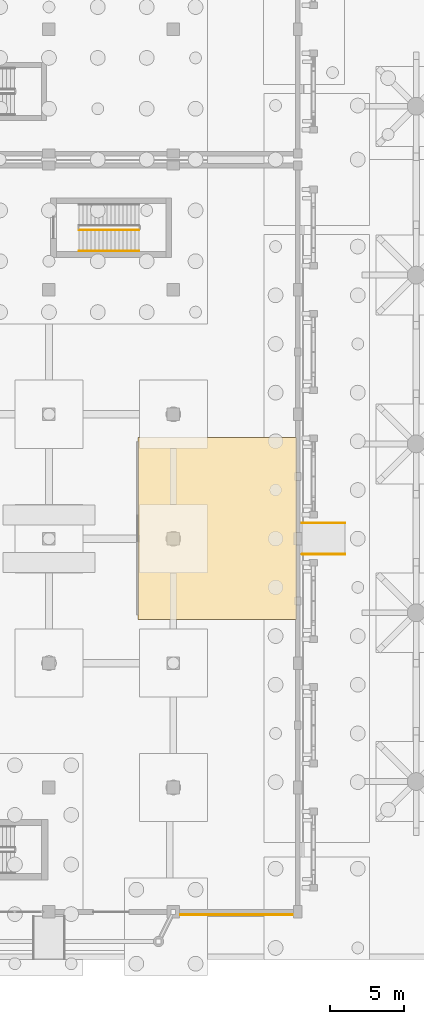
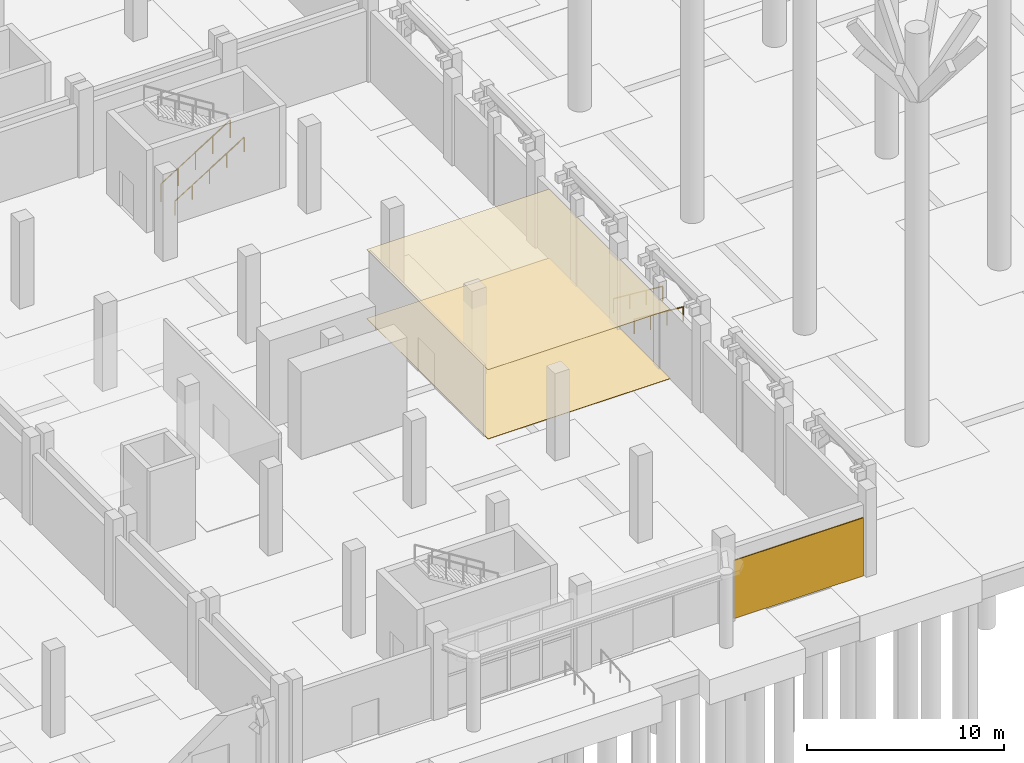
# One storey, part 84 of 98: 4 railings, 3 coverings.
"""IFC4 building model written with IfcOpenShell, lengths in metres."""

from ifc_helpers import new_model, si_unit, direction, frame, origin, origin_2d, place, context, subcontext, project, spatial, polyline, rectangle, circle, outline, extrude, material, layer, layer_set, type_object, element, save


model = new_model("IFC4")

# Units and contexts
model_context = context("Model", 3, precision=1e-05, world=origin(), true_north=direction((0.0, 1.0)))
body_context = subcontext(model_context, "Body", "Model", "MODEL_VIEW")
ifc_project = project(units=[si_unit("LENGTHUNIT", "METRE"), si_unit("AREAUNIT", "SQUARE_METRE"), si_unit("VOLUMEUNIT", "CUBIC_METRE"), si_unit("PLANEANGLEUNIT", "RADIAN"), si_unit("MASSUNIT", "GRAM", prefix="KILO")], contexts=[model_context])

# Site, building, storey
site_placement = place(None, origin())
site = spatial("IfcSite", under=ifc_project, at=site_placement, CompositionType="ELEMENT")
building_placement = place(site_placement, origin())
building = spatial("IfcBuilding", under=site, at=building_placement, Name="Xazarin Passage Department Store", CompositionType="ELEMENT")
storey_placement = place(building_placement, origin())
storey = spatial("IfcBuildingStorey", under=building, at=storey_placement, Name="L00", CompositionType="ELEMENT", Elevation=0.0)

# Coverings
ifc_material_1 = material(Name="Absheron limestone cladding", Category="masonry")
ifc_layer_1 = layer(ifc_material_1, 0.06005859375)
ifc_layer_set_1 = layer_set([ifc_layer_1], Name="Absheron limestone cladding")
covering_type_1 = type_object("IfcCoveringType", Name="ARC-COV-CLD060", PredefinedType="CLADDING", material=ifc_layer_set_1)
covering_1_placement = place(storey_placement, frame((97.46240234375, -0.199951171875, 0.0), z_axis=(0.0, 0.0, 1.0), x_axis=(1.0, 0.0, 0.0)))
element("IfcCovering", 1, at=covering_1_placement, inside=storey, type_object=covering_type_1, Name="L00 Absheron Limestone Plinth Cladding 089", PredefinedType="CLADDING", context=body_context, shape_type="SweptSolid", body=[
    extrude(rectangle(XDim=7.574951171875, YDim=0.06005859375, at=origin_2d()), origin(), (0.0, 0.0, 1.0), 3.60009765625),
])
ifc_material_2 = material(Name="Acoustic mineral ceiling")
ifc_layer_2 = layer(ifc_material_2, 0.030029296875)
ifc_layer_set_2 = layer_set([ifc_layer_2], Name="Acoustic mineral ceiling")
covering_type_2 = type_object("IfcCoveringType", Name="ARC-COV-CLG030", PredefinedType="CEILING", material=ifc_layer_set_2)
covering_2_placement = place(storey_placement, frame((0.0, 0.0, 4.27001953125)))
element("IfcCovering", 2, at=covering_2_placement, inside=storey, type_object=covering_type_2, Name="L00 Arcade Boutique Acoustic Ceiling", PredefinedType="CEILING", context=body_context, shape_type="SweptSolid", body=[
    extrude(outline(polyline([(90.800048828125, 32.050048828125), (90.800048828125, 19.75), (101.5, 19.75), (101.5, 32.050048828125), (90.800048828125, 32.050048828125)])), origin(), (0.0, 0.0, 1.0), 0.030029296875),
])
ifc_material_3 = material(Name="Terrazzo stone flooring", Category="masonry")
ifc_layer_3 = layer(ifc_material_3, 0.02490234375)
ifc_layer_set_3 = layer_set([ifc_layer_3], Name="Terrazzo stone flooring")
covering_type_3 = type_object("IfcCoveringType", Name="ARC-COV-FLR025", PredefinedType="FLOORING", material=ifc_layer_set_3)
covering_3_placement = place(storey_placement, origin())
element("IfcCovering", 3, at=covering_3_placement, inside=storey, type_object=covering_type_3, Name="L00 Arcade Boutique Terrazzo Flooring", PredefinedType="FLOORING", context=body_context, shape_type="SweptSolid", body=[
    extrude(outline(polyline([(90.800048828125, 32.050048828125), (90.800048828125, 19.75), (101.5, 19.75), (101.5, 32.050048828125), (90.800048828125, 32.050048828125)])), origin(), (0.0, 0.0, 1.0), 0.02490234375),
])

# Railings
ifc_material_4 = material(Name="Steel S355", Category="steel")
railing_type_1 = type_object("IfcRailingType", Name="ARC-RL-GRD112", PredefinedType="GUARDRAIL", material=ifc_material_4)
railing_1_placement = place(storey_placement, frame((86.840087890625, 46.050048828125, 0.168701171875)))
element("IfcRailing", 4, at=railing_1_placement, inside=storey, type_object=railing_type_1, Name="L00 ST5 stair guard 1", PredefinedType="GUARDRAIL", context=body_context, shape_type="SweptSolid", body=[
    extrude(circle(Radius=0.02392578125, at=origin_2d()), frame((0.0, 0.0, 1.076171875), z_axis=(0.847986816054, 0.0, 0.530017320282), x_axis=(0.0, 1.0, 0.0)), (0.0, 0.0, 1.0), 4.77587890625),
    extrude(circle(Radius=0.02099609375, at=origin_2d()), origin(), (0.0, 0.0, 1.0), 1.0517578125),
    extrude(circle(Radius=0.02099609375, at=origin_2d()), frame((1.012451171875, 0.0, 0.6328125)), (0.0, 0.0, 1.0), 1.0517578125),
    extrude(circle(Radius=0.02099609375, at=origin_2d()), frame((2.02490234375, 0.0, 1.265625)), (0.0, 0.0, 1.0), 1.0517578125),
    extrude(circle(Radius=0.02099609375, at=origin_2d()), frame((3.037353515625, 0.0, 1.8984375)), (0.0, 0.0, 1.0), 1.0517578125),
    extrude(circle(Radius=0.02099609375, at=origin_2d()), frame((4.0498046875, 0.0, 2.53125)), (0.0, 0.0, 1.0), 1.0517578125),
])
railing_type_2 = type_object("IfcRailingType", Name="ARC-RL-HND090", PredefinedType="HANDRAIL", material=ifc_material_4)
for number, where, name in (
    (5, (104.780029296875, 24.14990234375, -0.239990234375), "RMP-04 Left Handrail"),
    (6, (104.780029296875, 26.25, -0.239990234375), "RMP-04 Right Handrail"),
):
    element("IfcRailing", number, at=place(storey_placement, frame(where)), inside=storey, type_object=railing_type_2, Name=name, PredefinedType="HANDRAIL", context=body_context, shape_type="SweptSolid", body=[
        extrude(circle(Radius=0.02392578125, at=origin_2d()), frame((0.0, 0.0, 0.8759765625), z_axis=(-0.996546340804, 0.0, 0.083038488854), x_axis=(0.0, -1.0, 0.0)), (0.0, 0.0, 1.0), 2.89013671875),
        extrude(circle(Radius=0.02099609375, at=origin_2d()), origin(), (0.0, 0.0, 1.0), 0.8515625),
        extrude(circle(Radius=0.02099609375, at=origin_2d()), frame((-0.9599609375, 0.0, 0.080078125)), (0.0, 0.0, 1.0), 0.8515625),
        extrude(circle(Radius=0.02099609375, at=origin_2d()), frame((-1.920166015625, 0.0, 0.159912109375)), (0.0, 0.0, 1.0), 0.8515625),
        extrude(circle(Radius=0.02099609375, at=origin_2d()), frame((-2.880126953125, 0.0, 0.239990234375)), (0.0, 0.0, 1.0), 0.8515625),
    ])
railing_2_placement = place(storey_placement, frame((86.840087890625, 44.6298828125, 0.168701171875)))
element("IfcRailing", 7, at=railing_2_placement, inside=storey, type_object=railing_type_2, Name="L00 ST5 stair handrail 1", PredefinedType="HANDRAIL", context=body_context, shape_type="SweptSolid", body=[
    extrude(circle(Radius=0.02392578125, at=origin_2d()), frame((0.0, 0.0, 0.8759765625), z_axis=(0.847986816054, 0.0, 0.530017320282), x_axis=(0.0, 1.0, 0.0)), (0.0, 0.0, 1.0), 4.77587890625),
    extrude(circle(Radius=0.02099609375, at=origin_2d()), origin(), (0.0, 0.0, 1.0), 0.8515625),
    extrude(circle(Radius=0.02099609375, at=origin_2d()), frame((1.012451171875, 0.0, 0.6328125)), (0.0, 0.0, 1.0), 0.8515625),
    extrude(circle(Radius=0.02099609375, at=origin_2d()), frame((2.02490234375, 0.0, 1.265625)), (0.0, 0.0, 1.0), 0.8515625),
    extrude(circle(Radius=0.02099609375, at=origin_2d()), frame((3.037353515625, 0.0, 1.8984375)), (0.0, 0.0, 1.0), 0.8515625),
    extrude(circle(Radius=0.02099609375, at=origin_2d()), frame((4.0498046875, 0.0, 2.53125)), (0.0, 0.0, 1.0), 0.8515625),
])

save(model, "model.ifc")
